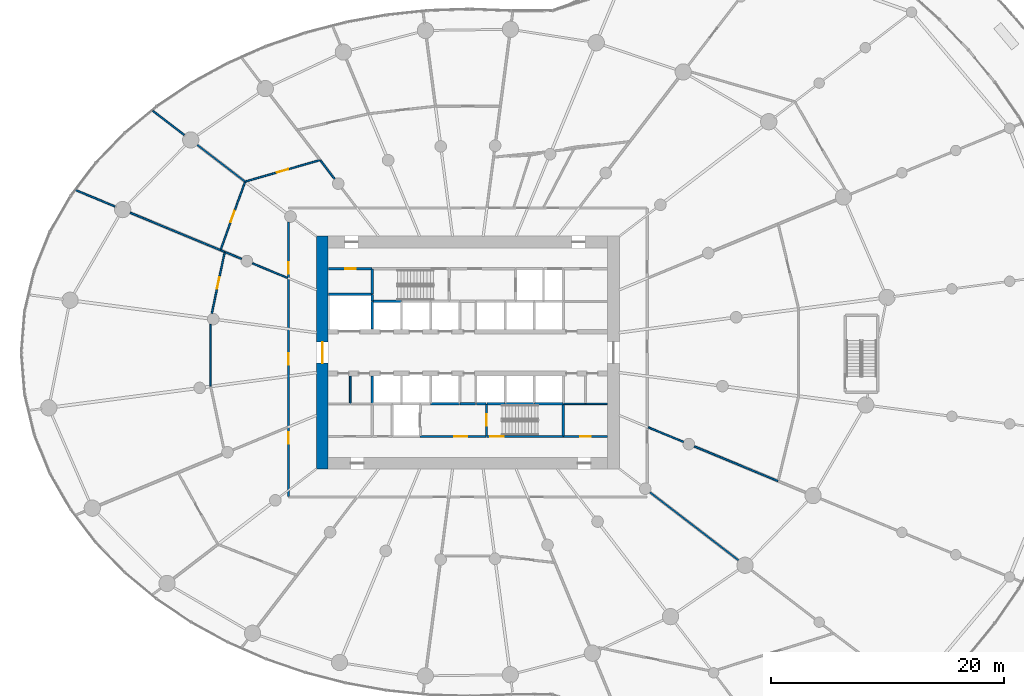
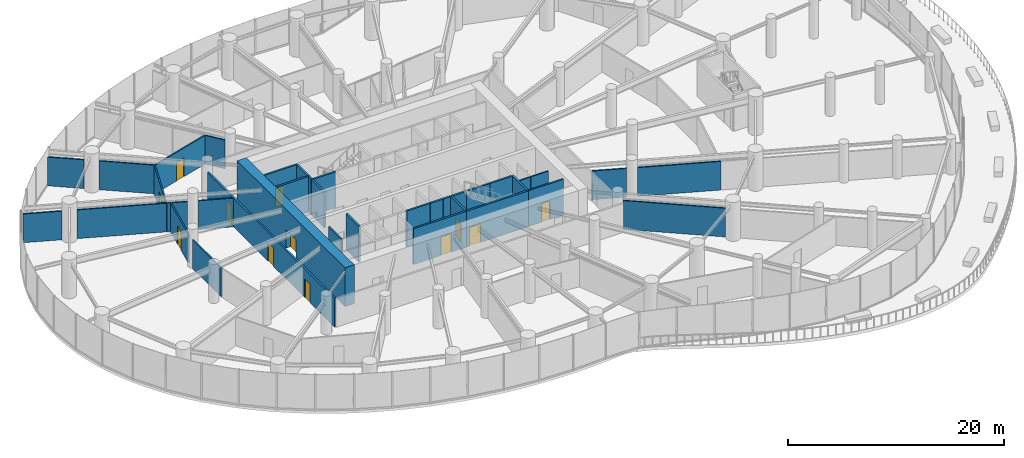
# One storey, part 15 of 24: 38 walls, 12 doors, 12 openings.
"""IFC4 building model written with IfcOpenShell, lengths in metres."""

from ifc_helpers import new_model, si_unit, direction, frame, frame_2d, origin, place, context, subcontext, project, spatial, rectangle, extrude, source, transform, mapped, material, layer, layer_set, type_object, element, fill, save


model = new_model("IFC4")

# Units and contexts
model_context = context("Model", 3, precision=1e-05, world=origin(), true_north=direction((0.0, 1.0)))
body_context = subcontext(model_context, "Body", "Model", "MODEL_VIEW")
ifc_project = project(units=[si_unit("LENGTHUNIT", "METRE"), si_unit("AREAUNIT", "SQUARE_METRE"), si_unit("VOLUMEUNIT", "CUBIC_METRE"), si_unit("PLANEANGLEUNIT", "RADIAN"), si_unit("MASSUNIT", "GRAM", prefix="KILO")], contexts=[model_context])

# Site, building, storey
site_placement = place(None, origin())
site = spatial("IfcSite", under=ifc_project, at=site_placement, CompositionType="ELEMENT")
building_placement = place(site_placement, origin())
building = spatial("IfcBuilding", under=site, at=building_placement, Name="Spindrift Exchange Tower", CompositionType="ELEMENT")
storey_placement = place(building_placement, frame((0.0, 0.0, 5.0)))
storey = spatial("IfcBuildingStorey", under=building, at=storey_placement, Name="L01", CompositionType="ELEMENT", Elevation=5.0)

# Wall, opening, door
ifc_material_1 = material(Name="Concrete 80 MPa", Category="concrete")
ifc_layer_1 = layer(ifc_material_1, 1.0)
ifc_layer_set_1 = layer_set([ifc_layer_1], Name="RC Core Wall 1000 Concrete 80 MPa")
wall_type_1 = type_object("IfcWallType", Name="RC Core Wall 1000 Concrete 80 MPa", PredefinedType="SHEAR", material=ifc_layer_set_1)
wall_1_placement = place(storey_placement, frame((39.5, 58.0, 0.0), z_axis=(0.0, 0.0, 1.0), x_axis=(0.0, -1.0, 0.0)))
wall_1 = element("IfcWall", 1, at=wall_1_placement, inside=storey, type_object=wall_type_1, Name="Core wall W L01", PredefinedType="SHEAR", context=body_context, shape_type="SweptSolid", body=[
    extrude(rectangle(XDim=20.0, YDim=1.0, at=frame_2d((10.0, 0.0))), origin(), (0.0, 0.0, 1.0), 4.39990234375),
])
opening_1_placement = place(wall_1_placement, frame((9.10009765625, 0.0, 0.0)))
opening_1 = element("IfcOpeningElement", 2, at=opening_1_placement, cuts=wall_1, Name="Opening L01-D1", PredefinedType="OPENING", context=body_context, shape_type="SweptSolid", body=[
    extrude(rectangle(XDim=1.800048828125, YDim=2.10009765625, at=frame_2d((0.89990234375, 1.050048828125))), frame((0.0, 0.510009765625, 0.0), z_axis=(0.0, -1.0, 0.0), x_axis=(1.0, 0.0, 0.0)), (0.0, 0.0, 1.0), 1.02001953125),
])
ifc_material_2 = material(Name="Timber-core fire door", Category="wood")
door_type_1 = type_object("IfcDoorType", Name="DR-LOBBY-1800", OperationType="NOTDEFINED", PredefinedType="DOOR", material=ifc_material_2)
shared_shape_1 = source(origin(), body_context, "Body", "SweptSolid", [
    extrude(rectangle(XDim=1.800048828125, YDim=2.10009765625, at=frame_2d((0.89990234375, 1.050048828125))), frame((0.0, 0.02490234375, 0.0), z_axis=(0.0, -1.0, 0.0), x_axis=(1.0, 0.0, 0.0)), (0.0, 0.0, 1.0), 0.050048828125),
])
door_1_placement = place(opening_1_placement, origin())
door_1 = element("IfcDoor", 3, at=door_1_placement, inside=storey, type_object=door_type_1, Name="L01 Lobby door 1", OperationType="SINGLE_SWING_LEFT", OverallHeight=2.10009765625, OverallWidth=1.800048828125, PredefinedType="DOOR", context=body_context, shape_type="MappedRepresentation", body=[
    mapped(shared_shape_1, transform((0.0, 0.0, 0.0), scale=1.0)),
])
fill(opening_1, door_1)

ifc_material_3 = material(Name="Fire-rated plasterboard partition", Category="gypsum")
ifc_layer_2 = layer(ifc_material_3, 0.179931640625)
ifc_layer_set_2 = layer_set([ifc_layer_2], Name="W-CORR-180")
wall_type_2 = type_object("IfcWallType", Name="W-CORR-180", PredefinedType="PARTITIONING", material=ifc_layer_set_2)
wall_2_placement = place(storey_placement, frame((43.77001953125, 55.199951171875, 0.0), z_axis=(0.0, 0.0, 1.0), x_axis=(-1.0, 0.0, 0.0)))
wall_2 = element("IfcWall", 4, at=wall_2_placement, inside=storey, type_object=wall_type_2, Name="L01 Partition wall 66", PredefinedType="PARTITIONING", context=body_context, shape_type="SweptSolid", body=[
    extrude(rectangle(XDim=3.75, YDim=0.179931640625, at=frame_2d((1.875, 0.0))), origin(), (0.0, 0.0, 1.0), 4.050048828125),
])
opening_2_placement = place(wall_2_placement, frame((1.39990234375, 0.0, 0.0)))
opening_2 = element("IfcOpeningElement", 5, at=opening_2_placement, cuts=wall_2, Name="Opening L01-D52", PredefinedType="OPENING", context=body_context, shape_type="SweptSolid", body=[
    extrude(rectangle(XDim=0.89990234375, YDim=2.10009765625, at=frame_2d((0.449951171875, 1.050048828125))), frame((0.0, 0.099853515625, 0.0), z_axis=(0.0, -1.0, 0.0), x_axis=(1.0, 0.0, 0.0)), (0.0, 0.0, 1.0), 0.199951171875),
])
ifc_material_4 = material(Name="Steel access door", Category="steel")
door_type_2 = type_object("IfcDoorType", Name="DR-RISER-900", OperationType="NOTDEFINED", PredefinedType="DOOR", material=ifc_material_4)
shared_shape_2 = source(origin(), body_context, "Body", "SweptSolid", [
    extrude(rectangle(XDim=0.89990234375, YDim=2.10009765625, at=frame_2d((0.449951171875, 1.050048828125))), frame((0.0, 0.02490234375, 0.0), z_axis=(0.0, -1.0, 0.0), x_axis=(1.0, 0.0, 0.0)), (0.0, 0.0, 1.0), 0.050048828125),
])
door_2_placement = place(opening_2_placement, origin())
door_2 = element("IfcDoor", 6, at=door_2_placement, inside=storey, type_object=door_type_2, Name="L01 Riser door 52", OperationType="SINGLE_SWING_RIGHT", OverallHeight=2.10009765625, OverallWidth=0.89990234375, PredefinedType="DOOR", context=body_context, shape_type="MappedRepresentation", body=[
    mapped(shared_shape_2, transform((0.0, 0.0, 0.0), scale=1.0)),
])
fill(opening_2, door_2)

wall_3_placement = place(storey_placement, frame((60.22998046875, 40.800048828125, 0.0), z_axis=(0.0, 0.0, 1.0), x_axis=(1.0, 0.0, 0.0)))
wall_3 = element("IfcWall", 7, at=wall_3_placement, inside=storey, type_object=wall_type_2, Name="L01 Partition wall 67", PredefinedType="PARTITIONING", context=body_context, shape_type="SweptSolid", body=[
    extrude(rectangle(XDim=3.75, YDim=0.179931640625, at=frame_2d((1.875, 0.0))), origin(), (0.0, 0.0, 1.0), 4.050048828125),
])
opening_3_placement = place(wall_3_placement, frame((1.39990234375, 0.0, 0.0)))
opening_3 = element("IfcOpeningElement", 8, at=opening_3_placement, cuts=wall_3, Name="Opening L01-D58", PredefinedType="OPENING", context=body_context, shape_type="SweptSolid", body=[
    extrude(rectangle(XDim=0.89990234375, YDim=2.10009765625, at=frame_2d((0.449951171875, 1.050048828125))), frame((0.0, 0.099853515625, 0.0), z_axis=(0.0, -1.0, 0.0), x_axis=(1.0, 0.0, 0.0)), (0.0, 0.0, 1.0), 0.199951171875),
])
door_3_placement = place(opening_3_placement, origin())
door_3 = element("IfcDoor", 9, at=door_3_placement, inside=storey, type_object=door_type_2, Name="L01 Riser door 58", OperationType="SINGLE_SWING_RIGHT", OverallHeight=2.10009765625, OverallWidth=0.89990234375, PredefinedType="DOOR", context=body_context, shape_type="MappedRepresentation", body=[
    mapped(shared_shape_2, transform((0.0, 0.0, 0.0), scale=1.0)),
])
fill(opening_3, door_3)

ifc_layer_3 = layer(ifc_material_3, 0.139892578125)
ifc_layer_set_3 = layer_set([ifc_layer_3], Name="W-PART-140")
wall_type_3 = type_object("IfcWallType", Name="W-PART-140", PredefinedType="PARTITIONING", material=ifc_layer_set_3)
wall_4_placement = place(storey_placement, frame((32.868896484375, 62.6796875, 0.0), z_axis=(0.0, 0.0, 1.0), x_axis=(0.96106930393, 0.27630742488, 0.0)))
wall_4 = element("IfcWall", 10, at=wall_4_placement, inside=storey, type_object=wall_type_3, Name="L01 Partition wall 88", PredefinedType="PARTITIONING", context=body_context, shape_type="SweptSolid", body=[
    extrude(rectangle(XDim=6.706298828125, YDim=0.139892578125, at=frame_2d((3.35302734375, 0.0))), origin(), (0.0, 0.0, 1.0), 3.25),
])
opening_4_placement = place(wall_4_placement, frame((2.856201171875, 0.0, 0.0)))
opening_4 = element("IfcOpeningElement", 11, at=opening_4_placement, cuts=wall_4, Name="Opening L01-D37", PredefinedType="OPENING", context=body_context, shape_type="SweptSolid", body=[
    extrude(rectangle(XDim=1.0, YDim=2.10009765625, at=frame_2d((0.5, 1.050048828125))), frame((0.0, 0.079833984375, 0.0), z_axis=(0.0, -1.0, 0.0), x_axis=(1.0, 0.0, 0.0)), (0.0, 0.0, 1.0), 0.159912109375),
])
door_type_3 = type_object("IfcDoorType", Name="DR-ROOM-1000", OperationType="NOTDEFINED", PredefinedType="DOOR", material=ifc_material_2)
shared_shape_3 = source(origin(), body_context, "Body", "SweptSolid", [
    extrude(rectangle(XDim=1.0, YDim=2.10009765625, at=frame_2d((0.5, 1.050048828125))), frame((0.0, 0.02490234375, 0.0), z_axis=(0.0, -1.0, 0.0), x_axis=(1.0, 0.0, 0.0)), (0.0, 0.0, 1.0), 0.050048828125),
])
door_4_placement = place(opening_4_placement, origin())
door_4 = element("IfcDoor", 12, at=door_4_placement, inside=storey, type_object=door_type_3, Name="L01 Door 37", OperationType="SINGLE_SWING_LEFT", OverallHeight=2.10009765625, OverallWidth=1.0, PredefinedType="DOOR", context=body_context, shape_type="MappedRepresentation", body=[
    mapped(shared_shape_3, transform((0.0, 0.0, 0.0), scale=1.0)),
])
fill(opening_4, door_4)

# Walls
wall_5_placement = place(storey_placement, frame((41.89990234375, 43.60009765625, 0.0), z_axis=(0.0, 0.0, 1.0), x_axis=(0.0, 1.0, 0.0)))
element("IfcWall", 13, at=wall_5_placement, inside=storey, type_object=wall_type_3, Name="L01 Partition wall 139", PredefinedType="PARTITIONING", context=body_context, shape_type="SweptSolid", body=[
    extrude(rectangle(XDim=2.389892578125, YDim=0.139892578125, at=frame_2d((1.19482421875, 0.0))), origin(), (0.0, 0.0, 1.0), 3.25),
])
wall_6_placement = place(storey_placement, frame((40.55908203125, 62.91015625, 0.0), z_axis=(0.0, 0.0, 1.0), x_axis=(-0.608726567924, 0.793380088926, 0.0)))
element("IfcWall", 14, at=wall_6_placement, inside=storey, type_object=wall_type_3, Name="L01 Partition wall 142", PredefinedType="PARTITIONING", context=body_context, shape_type="SweptSolid", body=[
    extrude(rectangle(XDim=2.014892578125, YDim=0.139892578125, at=frame_2d((1.00732421875, 0.0))), origin(), (0.0, 0.0, 1.0), 3.25),
])
wall_7_placement = place(storey_placement, frame((60.22998046875, 43.60009765625, 0.0), z_axis=(0.0, 0.0, 1.0), x_axis=(1.0, 0.0, 0.0)))
element("IfcWall", 15, at=wall_7_placement, inside=storey, type_object=wall_type_3, Name="L01 Partition wall 144", PredefinedType="PARTITIONING", context=body_context, shape_type="SweptSolid", body=[
    extrude(rectangle(XDim=1.840087890625, YDim=0.139892578125, at=frame_2d((0.919921875, 0.0))), origin(), (0.0, 0.0, 1.0), 3.25),
])
wall_8_placement = place(storey_placement, frame((62.1298828125, 43.60009765625, 0.0), z_axis=(0.0, 0.0, 1.0), x_axis=(1.0, 0.0, 0.0)))
element("IfcWall", 16, at=wall_8_placement, inside=storey, type_object=wall_type_3, Name="L01 Partition wall 146", PredefinedType="PARTITIONING", context=body_context, shape_type="SweptSolid", body=[
    extrude(rectangle(XDim=1.85009765625, YDim=0.139892578125, at=frame_2d((0.925048828125, 0.0))), origin(), (0.0, 0.0, 1.0), 3.25),
])
ifc_layer_4 = layer(ifc_material_3, 0.139892578125)
ifc_layer_set_4 = layer_set([ifc_layer_4], Name="W-PLANT-140")
wall_type_4 = type_object("IfcWallType", Name="W-PLANT-140", PredefinedType="PARTITIONING", material=ifc_layer_set_4)
wall_9_placement = place(storey_placement, frame((67.632568359375, 36.004638671875, 0.0), z_axis=(0.0, 0.0, 1.0), x_axis=(0.793366218398, -0.608744645566, 0.0)))
element("IfcWall", 17, at=wall_9_placement, inside=storey, type_object=wall_type_4, Name="L01 Partition wall 71", PredefinedType="PARTITIONING", context=body_context, shape_type="SweptSolid", body=[
    extrude(rectangle(XDim=9.59130859375, YDim=0.139892578125, at=frame_2d((4.795654296875, 0.0))), origin(), (0.0, 0.0, 1.0), 3.25),
])
wall_10_placement = place(storey_placement, frame((30.7568359375, 56.79931640625, 0.0), z_axis=(0.0, 0.0, 1.0), x_axis=(-0.923877426418, 0.382688516884, 0.0)))
element("IfcWall", 18, at=wall_10_placement, inside=storey, type_object=wall_type_4, Name="L01 Partition wall 75", PredefinedType="PARTITIONING", context=body_context, shape_type="SweptSolid", body=[
    extrude(rectangle(XDim=8.388671875, YDim=0.139892578125, at=frame_2d((4.1943359375, 0.0))), origin(), (0.0, 0.0, 1.0), 3.25),
])
wall_11_placement = place(storey_placement, frame((71.439208984375, 39.947998046875, 0.0), z_axis=(0.0, 0.0, 1.0), x_axis=(0.923876369205, -0.382691069173, 0.0)))
element("IfcWall", 19, at=wall_11_placement, inside=storey, type_object=wall_type_4, Name="L01 Partition wall 76", PredefinedType="PARTITIONING", context=body_context, shape_type="SweptSolid", body=[
    extrude(rectangle(XDim=7.7958984375, YDim=0.139892578125, at=frame_2d((3.89794921875, 0.0))), origin(), (0.0, 0.0, 1.0), 3.25),
])

# Wall, opening, door
wall_12_placement = place(storey_placement, frame((30.780517578125, 56.865234375, 0.0), z_axis=(0.0, 0.0, 1.0), x_axis=(0.338038822493, 0.941132166323, 0.0)))
wall_12 = element("IfcWall", 20, at=wall_12_placement, inside=storey, type_object=wall_type_4, Name="L01 Partition wall 91", PredefinedType="PARTITIONING", context=body_context, shape_type="SweptSolid", body=[
    extrude(rectangle(XDim=6.148193359375, YDim=0.139892578125, at=frame_2d((3.07421875, 0.0))), origin(), (0.0, 0.0, 1.0), 3.25),
])
opening_5_placement = place(wall_12_placement, frame((2.498291015625, 0.0, 0.0)))
opening_5 = element("IfcOpeningElement", 21, at=opening_5_placement, cuts=wall_12, Name="Opening L01-D38", PredefinedType="OPENING", context=body_context, shape_type="SweptSolid", body=[
    extrude(rectangle(XDim=1.0, YDim=2.10009765625, at=frame_2d((0.5, 1.050048828125))), frame((0.0, 0.079833984375, 0.0), z_axis=(0.0, -1.0, 0.0), x_axis=(1.0, 0.0, 0.0)), (0.0, 0.0, 1.0), 0.159912109375),
])
door_5_placement = place(opening_5_placement, origin())
door_5 = element("IfcDoor", 22, at=door_5_placement, inside=storey, type_object=door_type_3, Name="L01 Door 38", OperationType="SINGLE_SWING_RIGHT", OverallHeight=2.10009765625, OverallWidth=1.0, PredefinedType="DOOR", context=body_context, shape_type="MappedRepresentation", body=[
    mapped(shared_shape_3, transform((0.0, 0.0, 0.0), scale=1.0)),
])
fill(opening_5, door_5)

wall_13_placement = place(storey_placement, frame((30.010009765625, 51.366455078125, 0.0), z_axis=(0.0, 0.0, 1.0), x_axis=(0.206040116916, 0.978543545388, 0.0)))
wall_13 = element("IfcWall", 23, at=wall_13_placement, inside=storey, type_object=wall_type_4, Name="L01 Partition wall 98", PredefinedType="PARTITIONING", context=body_context, shape_type="SweptSolid", body=[
    extrude(rectangle(XDim=5.397216796875, YDim=0.139892578125, at=frame_2d((2.69873046875, 0.0))), origin(), (0.0, 0.0, 1.0), 3.25),
])
opening_6_placement = place(wall_13_placement, frame((2.147216796875, 0.0, 0.0)))
opening_6 = element("IfcOpeningElement", 24, at=opening_6_placement, cuts=wall_13, Name="Opening L01-D40", PredefinedType="OPENING", context=body_context, shape_type="SweptSolid", body=[
    extrude(rectangle(XDim=1.0, YDim=2.10009765625, at=frame_2d((0.5, 1.050048828125))), frame((0.0, 0.079833984375, 0.0), z_axis=(0.0, -1.0, 0.0), x_axis=(1.0, 0.0, 0.0)), (0.0, 0.0, 1.0), 0.159912109375),
])
door_6_placement = place(opening_6_placement, origin())
door_6 = element("IfcDoor", 25, at=door_6_placement, inside=storey, type_object=door_type_3, Name="L01 Door 40", OperationType="SINGLE_SWING_RIGHT", OverallHeight=2.10009765625, OverallWidth=1.0, PredefinedType="DOOR", context=body_context, shape_type="MappedRepresentation", body=[
    mapped(shared_shape_3, transform((0.0, 0.0, 0.0), scale=1.0)),
])
fill(opening_6, door_6)

# Walls
wall_14_placement = place(storey_placement, frame((29.913330078125, 50.426025390625, 0.0), z_axis=(0.0, 0.0, 1.0), x_axis=(0.0, -1.0, 0.0)))
element("IfcWall", 26, at=wall_14_placement, inside=storey, type_object=wall_type_4, Name="L01 Partition wall 101", PredefinedType="PARTITIONING", context=body_context, shape_type="SweptSolid", body=[
    extrude(rectangle(XDim=5.3037109375, YDim=0.139892578125, at=frame_2d((2.65185546875, 0.0))), origin(), (0.0, 0.0, 1.0), 3.25),
])
wall_15_placement = place(storey_placement, frame((32.84521484375, 62.697998046875, 0.0), z_axis=(0.0, 0.0, 1.0), x_axis=(-0.793372133446, 0.60873693651, 0.0)))
element("IfcWall", 27, at=wall_15_placement, inside=storey, type_object=wall_type_4, Name="L01 Partition wall 102", PredefinedType="PARTITIONING", context=body_context, shape_type="SweptSolid", body=[
    extrude(rectangle(XDim=5.151611328125, YDim=0.139892578125, at=frame_2d((2.57568359375, 0.0))), origin(), (0.0, 0.0, 1.0), 3.25),
])
wall_16_placement = place(storey_placement, frame((21.7041015625, 60.549072265625, 0.0), z_axis=(0.0, 0.0, 1.0), x_axis=(-0.923890168451, 0.382657753926, 0.0)))
element("IfcWall", 28, at=wall_16_placement, inside=storey, type_object=wall_type_4, Name="L01 Partition wall 124", PredefinedType="PARTITIONING", context=body_context, shape_type="SweptSolid", body=[
    extrude(rectangle(XDim=3.64111328125, YDim=0.139892578125, at=frame_2d((1.820556640625, 0.0))), origin(), (0.0, 0.0, 1.0), 3.25),
])
wall_17_placement = place(storey_placement, frame((27.640625, 66.69140625, 0.0), z_axis=(0.0, 0.0, 1.0), x_axis=(-0.793332688102, 0.60878834252, 0.0)))
element("IfcWall", 29, at=wall_17_placement, inside=storey, type_object=wall_type_4, Name="L01 Partition wall 125", PredefinedType="PARTITIONING", context=body_context, shape_type="SweptSolid", body=[
    extrude(rectangle(XDim=3.40380859375, YDim=0.139892578125, at=frame_2d((1.701904296875, 0.0))), origin(), (0.0, 0.0, 1.0), 3.25),
])
for number, where, z_axis, x_axis, name in (
    (30, (36.510009765625, 54.416259765625, 0.0), (0.0, 0.0, 1.0), (-0.923911109142, 0.382607190737, 0.0), "L01 Partition wall 126"),
    (31, (67.489990234375, 41.583740234375, 0.0), (0.0, 0.0, 1.0), (0.923911109142, -0.382607190737, 0.0), "L01 Partition wall 127"),
):
    element("IfcWall", number, at=place(storey_placement, frame(where, z_axis=z_axis, x_axis=x_axis)), inside=storey, type_object=wall_type_4, Name=name, PredefinedType="PARTITIONING", context=body_context, shape_type="SweptSolid", body=[
        extrude(rectangle(XDim=3.264404296875, YDim=0.139892578125, at=frame_2d((1.63232421875, 0.0))), origin(), (0.0, 0.0, 1.0), 3.25),
    ])
wall_18_placement = place(storey_placement, frame((32.560791015625, 56.052001953125, 0.0), z_axis=(0.0, 0.0, 1.0), x_axis=(-0.923910723686, 0.382608121526, 0.0)))
element("IfcWall", 32, at=wall_18_placement, inside=storey, type_object=wall_type_4, Name="L01 Partition wall 148", PredefinedType="PARTITIONING", context=body_context, shape_type="SweptSolid", body=[
    extrude(rectangle(XDim=1.486083984375, YDim=0.139892578125, at=frame_2d((0.7431640625, 0.0))), origin(), (0.0, 0.0, 1.0), 3.25),
])
wall_19_placement = place(storey_placement, frame((31.09423828125, 56.659423828125, 0.0), z_axis=(0.0, 0.0, 1.0), x_axis=(-0.92404344338, 0.382287476576, 0.0)))
element("IfcWall", 33, at=wall_19_placement, inside=storey, type_object=wall_type_4, Name="L01 Partition wall 163", PredefinedType="PARTITIONING", context=body_context, shape_type="SweptSolid", body=[
    extrude(rectangle(XDim=0.335205078125, YDim=0.139892578125, at=frame_2d((0.16748046875, 0.0))), origin(), (0.0, 0.0, 1.0), 3.25),
])

# Wall, openings, doors
ifc_layer_5 = layer(ifc_material_3, 0.179931640625)
ifc_layer_set_5 = layer_set([ifc_layer_5], Name="W-PLANT-180")
wall_type_5 = type_object("IfcWallType", Name="W-PLANT-180", PredefinedType="PARTITIONING", material=ifc_layer_set_5)
wall_20_placement = place(storey_placement, frame((36.60009765625, 35.6298828125, 0.0), z_axis=(0.0, 0.0, 1.0), x_axis=(0.0, 1.0, 0.0)))
wall_20 = element("IfcWall", 34, at=wall_20_placement, inside=storey, type_object=wall_type_5, Name="L01 Partition wall 64", PredefinedType="PARTITIONING", context=body_context, shape_type="SweptSolid", body=[
    extrude(rectangle(XDim=23.58251953125, YDim=0.179931640625, at=frame_2d((11.791259765625, 0.0))), origin(), (0.0, 0.0, 1.0), 3.25),
])
opening_7_placement = place(wall_20_placement, frame((19.132568359375, 0.0, 0.0)))
opening_7 = element("IfcOpeningElement", 35, at=opening_7_placement, cuts=wall_20, Name="Opening L01-D36", PredefinedType="OPENING", context=body_context, shape_type="SweptSolid", body=[
    extrude(rectangle(XDim=1.0, YDim=2.10009765625, at=frame_2d((0.5, 1.050048828125))), frame((0.0, 0.099853515625, 0.0), z_axis=(0.0, -1.0, 0.0), x_axis=(1.0, 0.0, 0.0)), (0.0, 0.0, 1.0), 0.199951171875),
])
opening_8_placement = place(wall_20_placement, frame((11.33251953125, 0.0, 0.0)))
opening_8 = element("IfcOpeningElement", 36, at=opening_8_placement, cuts=wall_20, Name="Opening L01-D39", PredefinedType="OPENING", context=body_context, shape_type="SweptSolid", body=[
    extrude(rectangle(XDim=1.0, YDim=2.10009765625, at=frame_2d((0.5, 1.050048828125))), frame((0.0, 0.099853515625, 0.0), z_axis=(0.0, -1.0, 0.0), x_axis=(1.0, 0.0, 0.0)), (0.0, 0.0, 1.0), 0.199951171875),
])
opening_9_placement = place(wall_20_placement, frame((4.532470703125, 0.0, 0.0)))
opening_9 = element("IfcOpeningElement", 37, at=opening_9_placement, cuts=wall_20, Name="Opening L01-D41", PredefinedType="OPENING", context=body_context, shape_type="SweptSolid", body=[
    extrude(rectangle(XDim=1.0, YDim=2.10009765625, at=frame_2d((0.5, 1.050048828125))), frame((0.0, 0.099853515625, 0.0), z_axis=(0.0, -1.0, 0.0), x_axis=(1.0, 0.0, 0.0)), (0.0, 0.0, 1.0), 0.199951171875),
])
door_7_placement = place(opening_7_placement, origin())
door_7 = element("IfcDoor", 38, at=door_7_placement, inside=storey, type_object=door_type_3, Name="L01 Door 36", OperationType="SINGLE_SWING_RIGHT", OverallHeight=2.10009765625, OverallWidth=1.0, PredefinedType="DOOR", context=body_context, shape_type="MappedRepresentation", body=[
    mapped(shared_shape_3, transform((0.0, 0.0, 0.0), scale=1.0)),
])
fill(opening_7, door_7)
door_8_placement = place(opening_8_placement, origin())
door_8 = element("IfcDoor", 39, at=door_8_placement, inside=storey, type_object=door_type_3, Name="L01 Door 39", OperationType="SINGLE_SWING_LEFT", OverallHeight=2.10009765625, OverallWidth=1.0, PredefinedType="DOOR", context=body_context, shape_type="MappedRepresentation", body=[
    mapped(shared_shape_3, transform((0.0, 0.0, 0.0), scale=1.0)),
])
fill(opening_8, door_8)
door_9_placement = place(opening_9_placement, origin())
door_9 = element("IfcDoor", 40, at=door_9_placement, inside=storey, type_object=door_type_3, Name="L01 Door 41", OperationType="SINGLE_SWING_LEFT", OverallHeight=2.10009765625, OverallWidth=1.0, PredefinedType="DOOR", context=body_context, shape_type="MappedRepresentation", body=[
    mapped(shared_shape_3, transform((0.0, 0.0, 0.0), scale=1.0)),
])
fill(opening_9, door_9)

# Walls
ifc_material_5 = material(Name="Concrete 40 MPa", Category="concrete")
ifc_layer_6 = layer(ifc_material_5, 0.199951171875)
ifc_layer_set_6 = layer_set([ifc_layer_6], Name="W-SHAFT-200")
wall_type_6 = type_object("IfcWallType", Name="W-SHAFT-200", PredefinedType="SOLIDWALL", material=ifc_layer_set_6)
wall_21_placement = place(storey_placement, frame((48.800048828125, 43.60009765625, 0.0), z_axis=(0.0, 0.0, 1.0), x_axis=(1.0, 0.0, 0.0)))
element("IfcWall", 41, at=wall_21_placement, inside=storey, type_object=wall_type_6, Name="L01 Shaft wall 21", PredefinedType="SOLIDWALL", context=body_context, shape_type="SweptSolid", body=[
    extrude(rectangle(XDim=2.5, YDim=0.199951171875, at=frame_2d((1.25, 0.0))), origin(), (0.0, 0.0, 1.0), 4.050048828125),
])
wall_22_placement = place(storey_placement, frame((43.800048828125, 45.989990234375, 0.0), z_axis=(0.0, 0.0, 1.0), x_axis=(0.0, -1.0, 0.0)))
element("IfcWall", 42, at=wall_22_placement, inside=storey, type_object=wall_type_6, Name="L01 Shaft wall 27", PredefinedType="SOLIDWALL", context=body_context, shape_type="SweptSolid", body=[
    extrude(rectangle(XDim=2.360107421875, YDim=0.199951171875, at=frame_2d((1.18017578125, 0.0))), origin(), (0.0, 0.0, 1.0), 4.050048828125),
])
wall_23_placement = place(storey_placement, frame((52.669921875, 43.60009765625, 0.0), z_axis=(0.0, 0.0, 1.0), x_axis=(-1.0, 0.0, 0.0)))
element("IfcWall", 43, at=wall_23_placement, inside=storey, type_object=wall_type_6, Name="L01 Shaft wall 52", PredefinedType="SOLIDWALL", context=body_context, shape_type="SweptSolid", body=[
    extrude(rectangle(XDim=1.33984375, YDim=0.199951171875, at=frame_2d((0.669921875, 0.0))), origin(), (0.0, 0.0, 1.0), 4.050048828125),
])

# Wall, opening, door
ifc_layer_7 = layer(ifc_material_5, 0.199951171875)
ifc_layer_set_7 = layer_set([ifc_layer_7], Name="W-SHAFT-200-LB")
wall_type_7 = type_object("IfcWallType", Name="W-SHAFT-200-LB", PredefinedType="SOLIDWALL", material=ifc_layer_set_7)
wall_24_placement = place(storey_placement, frame((53.60009765625, 40.800048828125, 0.0), z_axis=(0.0, 0.0, 1.0), x_axis=(1.0, 0.0, 0.0)))
wall_24 = element("IfcWall", 44, at=wall_24_placement, inside=storey, type_object=wall_type_7, Name="L01 Shaft wall 2", PredefinedType="SOLIDWALL", context=body_context, shape_type="SweptSolid", body=[
    extrude(rectangle(XDim=6.599853515625, YDim=0.199951171875, at=frame_2d((3.2998046875, 0.0))), origin(), (0.0, 0.0, 1.0), 4.050048828125),
])
opening_10_placement = place(wall_24_placement, frame((0.300048828125, 0.0, 0.0)))
opening_10 = element("IfcOpeningElement", 45, at=opening_10_placement, cuts=wall_24, Name="Opening L01-D16", PredefinedType="OPENING", context=body_context, shape_type="SweptSolid", body=[
    extrude(rectangle(XDim=1.199951171875, YDim=2.10009765625, at=frame_2d((0.60009765625, 1.050048828125))), frame((0.0, 0.10986328125, 0.0), z_axis=(0.0, -1.0, 0.0), x_axis=(1.0, 0.0, 0.0)), (0.0, 0.0, 1.0), 0.219970703125),
])
ifc_material_6 = material(Name="Steel fire door", Category="steel")
door_type_4 = type_object("IfcDoorType", Name="DR-STAIR-1200", OperationType="NOTDEFINED", PredefinedType="DOOR", material=ifc_material_6)
shared_shape_4 = source(origin(), body_context, "Body", "SweptSolid", [
    extrude(rectangle(XDim=1.199951171875, YDim=2.10009765625, at=frame_2d((0.60009765625, 1.050048828125))), frame((0.0, 0.02490234375, 0.0), z_axis=(0.0, -1.0, 0.0), x_axis=(1.0, 0.0, 0.0)), (0.0, 0.0, 1.0), 0.050048828125),
])
door_10_placement = place(opening_10_placement, origin())
door_10 = element("IfcDoor", 46, at=door_10_placement, inside=storey, type_object=door_type_4, Name="L01 Stair door 16", OperationType="SINGLE_SWING_RIGHT", OverallHeight=2.10009765625, OverallWidth=1.199951171875, PredefinedType="DOOR", context=body_context, shape_type="MappedRepresentation", body=[
    mapped(shared_shape_4, transform((0.0, 0.0, 0.0), scale=1.0)),
])
fill(opening_10, door_10)

wall_25_placement = place(storey_placement, frame((47.89990234375, 40.800048828125, 0.0), z_axis=(0.0, 0.0, 1.0), x_axis=(1.0, 0.0, 0.0)))
wall_25 = element("IfcWall", 47, at=wall_25_placement, inside=storey, type_object=wall_type_7, Name="L01 Shaft wall 5", PredefinedType="SOLIDWALL", context=body_context, shape_type="SweptSolid", body=[
    extrude(rectangle(XDim=5.670166015625, YDim=0.199951171875, at=frame_2d((2.8349609375, 0.0))), origin(), (0.0, 0.0, 1.0), 4.050048828125),
])
opening_11_placement = place(wall_25_placement, frame((2.949951171875, 0.0, 0.0)))
opening_11 = element("IfcOpeningElement", 48, at=opening_11_placement, cuts=wall_25, Name="Opening L01-D18", PredefinedType="OPENING", context=body_context, shape_type="SweptSolid", body=[
    extrude(rectangle(XDim=1.10009765625, YDim=2.10009765625, at=frame_2d((0.550048828125, 1.050048828125))), frame((0.0, 0.10986328125, 0.0), z_axis=(0.0, -1.0, 0.0), x_axis=(1.0, 0.0, 0.0)), (0.0, 0.0, 1.0), 0.219970703125),
])
door_type_5 = type_object("IfcDoorType", Name="DR-LOBBY-1100", OperationType="NOTDEFINED", PredefinedType="DOOR", material=ifc_material_2)
shared_shape_5 = source(origin(), body_context, "Body", "SweptSolid", [
    extrude(rectangle(XDim=1.10009765625, YDim=2.10009765625, at=frame_2d((0.550048828125, 1.050048828125))), frame((0.0, 0.02490234375, 0.0), z_axis=(0.0, -1.0, 0.0), x_axis=(1.0, 0.0, 0.0)), (0.0, 0.0, 1.0), 0.050048828125),
])
door_11_placement = place(opening_11_placement, origin())
door_11 = element("IfcDoor", 49, at=door_11_placement, inside=storey, type_object=door_type_5, Name="L01 Lobby door 18", OperationType="SINGLE_SWING_RIGHT", OverallHeight=2.10009765625, OverallWidth=1.10009765625, PredefinedType="DOOR", context=body_context, shape_type="MappedRepresentation", body=[
    mapped(shared_shape_5, transform((0.0, 0.0, 0.0), scale=1.0)),
])
fill(opening_11, door_11)

# Walls
wall_26_placement = place(storey_placement, frame((43.800048828125, 53.0, 0.0), z_axis=(0.0, 0.0, 1.0), x_axis=(-1.0, 0.0, 0.0)))
element("IfcWall", 50, at=wall_26_placement, inside=storey, type_object=wall_type_7, Name="L01 Shaft wall 7", PredefinedType="SOLIDWALL", context=body_context, shape_type="SweptSolid", body=[
    extrude(rectangle(XDim=3.780029296875, YDim=0.199951171875, at=frame_2d((1.89013671875, 0.0))), origin(), (0.0, 0.0, 1.0), 4.050048828125),
])
wall_27_placement = place(storey_placement, frame((60.199951171875, 40.830078125, 0.0), z_axis=(0.0, 0.0, 1.0), x_axis=(0.0, 1.0, 0.0)))
element("IfcWall", 51, at=wall_27_placement, inside=storey, type_object=wall_type_7, Name="L01 Shaft wall 12", PredefinedType="SOLIDWALL", context=body_context, shape_type="SweptSolid", body=[
    extrude(rectangle(XDim=2.77001953125, YDim=0.199951171875, at=frame_2d((1.385009765625, 0.0))), origin(), (0.0, 0.0, 1.0), 4.050048828125),
])

# Wall, opening, door
wall_28_placement = place(storey_placement, frame((53.60009765625, 43.60009765625, 0.0), z_axis=(0.0, 0.0, 1.0), x_axis=(0.0, -1.0, 0.0)))
wall_28 = element("IfcWall", 52, at=wall_28_placement, inside=storey, type_object=wall_type_7, Name="L01 Shaft wall 13", PredefinedType="SOLIDWALL", context=body_context, shape_type="SweptSolid", body=[
    extrude(rectangle(XDim=2.77001953125, YDim=0.199951171875, at=frame_2d((1.385009765625, 0.0))), origin(), (0.0, 0.0, 1.0), 4.050048828125),
])
opening_12_placement = place(wall_28_placement, frame((0.89990234375, 0.0, 0.0)))
opening_12 = element("IfcOpeningElement", 53, at=opening_12_placement, cuts=wall_28, Name="Opening L01-D17", PredefinedType="OPENING", context=body_context, shape_type="SweptSolid", body=[
    extrude(rectangle(XDim=1.0, YDim=2.10009765625, at=frame_2d((0.5, 1.050048828125))), frame((0.0, 0.10986328125, 0.0), z_axis=(0.0, -1.0, 0.0), x_axis=(1.0, 0.0, 0.0)), (0.0, 0.0, 1.0), 0.219970703125),
])
door_type_6 = type_object("IfcDoorType", Name="DR-STAIR-1000", OperationType="NOTDEFINED", PredefinedType="DOOR", material=ifc_material_6)
shared_shape_6 = source(origin(), body_context, "Body", "SweptSolid", [
    extrude(rectangle(XDim=1.0, YDim=2.10009765625, at=frame_2d((0.5, 1.050048828125))), frame((0.0, 0.02490234375, 0.0), z_axis=(0.0, -1.0, 0.0), x_axis=(1.0, 0.0, 0.0)), (0.0, 0.0, 1.0), 0.050048828125),
])
door_12_placement = place(opening_12_placement, origin())
door_12 = element("IfcDoor", 54, at=door_12_placement, inside=storey, type_object=door_type_6, Name="L01 Stair door 17", OperationType="SINGLE_SWING_LEFT", OverallHeight=2.10009765625, OverallWidth=1.0, PredefinedType="DOOR", context=body_context, shape_type="MappedRepresentation", body=[
    mapped(shared_shape_6, transform((0.0, 0.0, 0.0), scale=1.0)),
])
fill(opening_12, door_12)

# Walls
for number, where, z_axis, x_axis, name in (
    (55, (46.300048828125, 52.39990234375, 0.0), (0.0, 0.0, 1.0), (-1.0, 0.0, 0.0), "L01 Shaft wall 19"),
    (56, (55.199951171875, 43.60009765625, 0.0), (0.0, 0.0, 1.0), (1.0, 0.0, 0.0), "L01 Shaft wall 23"),
):
    element("IfcWall", number, at=place(storey_placement, frame(where, z_axis=z_axis, x_axis=x_axis)), inside=storey, type_object=wall_type_7, Name=name, PredefinedType="SOLIDWALL", context=body_context, shape_type="SweptSolid", body=[
        extrude(rectangle(XDim=2.5, YDim=0.199951171875, at=frame_2d((1.25, 0.0))), origin(), (0.0, 0.0, 1.0), 4.050048828125),
    ])
wall_29_placement = place(storey_placement, frame((57.72998046875, 43.60009765625, 0.0), z_axis=(0.0, 0.0, 1.0), x_axis=(1.0, 0.0, 0.0)))
element("IfcWall", 57, at=wall_29_placement, inside=storey, type_object=wall_type_7, Name="L01 Shaft wall 24", PredefinedType="SOLIDWALL", context=body_context, shape_type="SweptSolid", body=[
    extrude(rectangle(XDim=2.43994140625, YDim=0.199951171875, at=frame_2d((1.219970703125, 0.0))), origin(), (0.0, 0.0, 1.0), 4.050048828125),
])
wall_30_placement = place(storey_placement, frame((43.800048828125, 52.3701171875, 0.0), z_axis=(0.0, 0.0, 1.0), x_axis=(0.0, -1.0, 0.0)))
element("IfcWall", 58, at=wall_30_placement, inside=storey, type_object=wall_type_7, Name="L01 Shaft wall 28", PredefinedType="SOLIDWALL", context=body_context, shape_type="SweptSolid", body=[
    extrude(rectangle(XDim=2.360107421875, YDim=0.199951171875, at=frame_2d((1.18017578125, 0.0))), origin(), (0.0, 0.0, 1.0), 4.050048828125),
])
wall_31_placement = place(storey_placement, frame((43.800048828125, 55.169921875, 0.0), z_axis=(0.0, 0.0, 1.0), x_axis=(0.0, -1.0, 0.0)))
element("IfcWall", 59, at=wall_31_placement, inside=storey, type_object=wall_type_7, Name="L01 Shaft wall 43", PredefinedType="SOLIDWALL", context=body_context, shape_type="SweptSolid", body=[
    extrude(rectangle(XDim=2.139892578125, YDim=0.199951171875, at=frame_2d((1.06982421875, 0.0))), origin(), (0.0, 0.0, 1.0), 4.050048828125),
])
wall_32_placement = place(storey_placement, frame((53.6298828125, 43.60009765625, 0.0), z_axis=(0.0, 0.0, 1.0), x_axis=(1.0, 0.0, 0.0)))
element("IfcWall", 60, at=wall_32_placement, inside=storey, type_object=wall_type_7, Name="L01 Shaft wall 50", PredefinedType="SOLIDWALL", context=body_context, shape_type="SweptSolid", body=[
    extrude(rectangle(XDim=1.5400390625, YDim=0.199951171875, at=frame_2d((0.77001953125, 0.0))), origin(), (0.0, 0.0, 1.0), 4.050048828125),
])
wall_33_placement = place(storey_placement, frame((52.72998046875, 43.60009765625, 0.0), z_axis=(0.0, 0.0, 1.0), x_axis=(1.0, 0.0, 0.0)))
element("IfcWall", 61, at=wall_33_placement, inside=storey, type_object=wall_type_7, Name="L01 Shaft wall 56", PredefinedType="SOLIDWALL", context=body_context, shape_type="SweptSolid", body=[
    extrude(rectangle(XDim=0.840087890625, YDim=0.199951171875, at=frame_2d((0.419921875, 0.0))), origin(), (0.0, 0.0, 1.0), 4.050048828125),
])
wall_34_placement = place(storey_placement, frame((43.800048828125, 52.429931640625, 0.0), z_axis=(0.0, 0.0, 1.0), x_axis=(0.0, 1.0, 0.0)))
element("IfcWall", 62, at=wall_34_placement, inside=storey, type_object=wall_type_7, Name="L01 Shaft wall 60", PredefinedType="SOLIDWALL", context=body_context, shape_type="SweptSolid", body=[
    extrude(rectangle(XDim=0.5400390625, YDim=0.199951171875, at=frame_2d((0.27001953125, 0.0))), origin(), (0.0, 0.0, 1.0), 4.050048828125),
])

save(model, "model.ifc")
